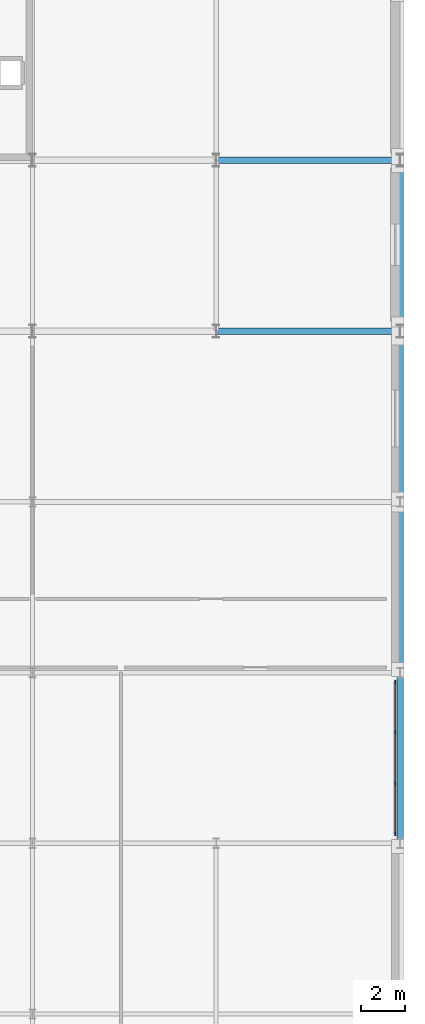
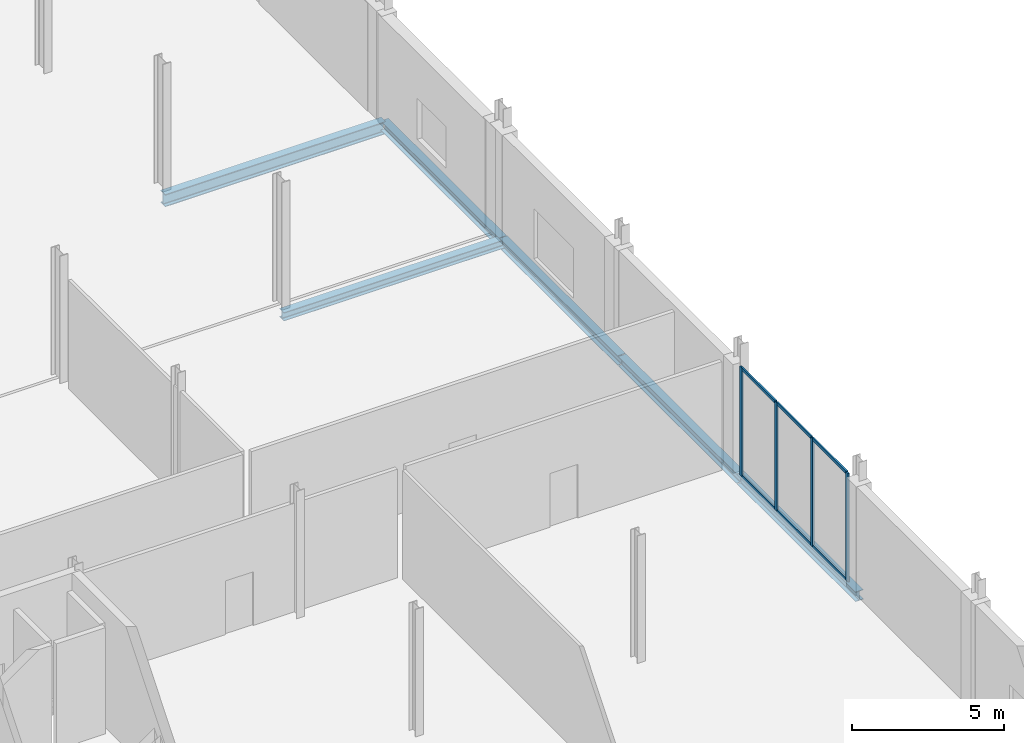
# One storey, part 59 of 105: 10 members, 6 beams, 1 element without a shape of its own.
"""IFC4 building model written with IfcOpenShell, lengths in metres."""

from ifc_helpers import new_model, si_unit, direction, frame, origin, origin_2d, place, context, subcontext, project, spatial, rectangle, i_section, extrude, material, material_profile, profile_set, type_object, element, aggregate, save


model = new_model("IFC4")

# Units and contexts
model_context = context("Model", 3, precision=1e-05, world=origin(), true_north=direction((0.0, 1.0)))
body_context = subcontext(model_context, "Body", "Model", "MODEL_VIEW")
ifc_project = project(units=[si_unit("LENGTHUNIT", "METRE"), si_unit("AREAUNIT", "SQUARE_METRE"), si_unit("VOLUMEUNIT", "CUBIC_METRE"), si_unit("PLANEANGLEUNIT", "RADIAN"), si_unit("MASSUNIT", "GRAM", prefix="KILO")], contexts=[model_context])

# Site, building, storey
site_placement = place(None, origin())
site = spatial("IfcSite", under=ifc_project, at=site_placement, CompositionType="ELEMENT")
building_placement = place(site_placement, origin())
building = spatial("IfcBuilding", under=site, at=building_placement, Name="Nabrawat Pavilion Hospital", CompositionType="ELEMENT")
storey_placement = place(building_placement, frame((0.0, 0.0, 5.10009765625)))
storey = spatial("IfcBuildingStorey", under=building, at=storey_placement, Name="L01", CompositionType="ELEMENT", Elevation=5.10009765625)

# Curtain wall, members
ifc_material_1 = material(Name="Anodised Aluminium", Category="aluminium")
curtain_wall_type = type_object("IfcCurtainWallType", Name="Outpatient Boulevard Curtain Wall", PredefinedType="USERDEFINED", material=ifc_material_1)
curtain_wall_placement = place(storey_placement, origin())
curtain_wall = element("IfcCurtainWall", 1, at=curtain_wall_placement, inside=storey, type_object=curtain_wall_type, Name="L01 Outpatient Boulevard Curtain Wall 093", ObjectType="CURTAIN WALL", PredefinedType="USERDEFINED")
ifc_material_profile_1 = material_profile(ifc_material_1, rectangle(XDim=0.06005859375, YDim=0.159912109375, at=origin_2d()), Name="CWM 60x160")
ifc_profile_set_1 = profile_set([ifc_material_profile_1], Name="Anodised Aluminium")
member_type_1 = type_object("IfcMemberType", Name="Outpatient Boulevard Curtain Wall Mullion CWM 60x160", PredefinedType="MULLION", material=ifc_profile_set_1)
member_1_placement = place(storey_placement, frame((192.97998046875, 16.02490234375, 0.0), z_axis=(0.0, 0.0, 1.0), x_axis=(-1.0, 0.0, 0.0)))
member_1 = element("IfcMember", 2, at=member_1_placement, type_object=member_type_1, Name="CW-OPC-01 mullion 1", PredefinedType="MULLION", context=body_context, shape_type="SweptSolid", body=[
    extrude(rectangle(XDim=0.06005859375, YDim=0.159912109375, at=origin_2d()), origin(), (0.0, 0.0, 1.0), 4.349853515625),
])
member_2_placement = place(storey_placement, frame((192.97998046875, 18.331787109375, 0.0), z_axis=(0.0, 0.0, 1.0), x_axis=(-1.0, 0.0, 0.0)))
member_2 = element("IfcMember", 3, at=member_2_placement, type_object=member_type_1, Name="CW-OPC-01 mullion 2", PredefinedType="MULLION", context=body_context, shape_type="SweptSolid", body=[
    extrude(rectangle(XDim=0.06005859375, YDim=0.159912109375, at=origin_2d()), origin(), (0.0, 0.0, 1.0), 4.349853515625),
])
member_3_placement = place(storey_placement, frame((192.97998046875, 20.668212890625, 0.0), z_axis=(0.0, 0.0, 1.0), x_axis=(-1.0, 0.0, 0.0)))
member_3 = element("IfcMember", 4, at=member_3_placement, type_object=member_type_1, Name="CW-OPC-01 mullion 3", PredefinedType="MULLION", context=body_context, shape_type="SweptSolid", body=[
    extrude(rectangle(XDim=0.06005859375, YDim=0.159912109375, at=origin_2d()), origin(), (0.0, 0.0, 1.0), 4.349853515625),
])
member_4_placement = place(storey_placement, frame((192.97998046875, 22.97509765625, 0.0), z_axis=(0.0, 0.0, 1.0), x_axis=(-1.0, 0.0, 0.0)))
member_4 = element("IfcMember", 5, at=member_4_placement, type_object=member_type_1, Name="CW-OPC-01 mullion 4", PredefinedType="MULLION", context=body_context, shape_type="SweptSolid", body=[
    extrude(rectangle(XDim=0.06005859375, YDim=0.159912109375, at=origin_2d()), origin(), (0.0, 0.0, 1.0), 4.349853515625),
])
ifc_material_profile_2 = material_profile(ifc_material_1, rectangle(XDim=0.06005859375, YDim=0.1201171875, at=origin_2d()), Name="CWT 60x120")
ifc_profile_set_2 = profile_set([ifc_material_profile_2], Name="Anodised Aluminium")
member_type_2 = type_object("IfcMemberType", Name="Outpatient Boulevard Curtain Wall Transom CWT 60x120", PredefinedType="USERDEFINED", material=ifc_profile_set_2)
member_5_placement = place(storey_placement, frame((192.97998046875, 16.054931640625, 0.02978515625), z_axis=(0.0, 1.0, 0.0), x_axis=(-1.0, 0.0, 0.0)))
member_5 = element("IfcMember", 6, at=member_5_placement, type_object=member_type_2, Name="CW-OPC-01 transom 1.1", ObjectType="TRANSOM", PredefinedType="USERDEFINED", context=body_context, shape_type="SweptSolid", body=[
    extrude(rectangle(XDim=0.06005859375, YDim=0.1201171875, at=origin_2d()), origin(), (0.0, 0.0, 1.0), 2.246826171875),
])
member_6_placement = place(storey_placement, frame((192.97998046875, 16.054931640625, 4.31982421875), z_axis=(0.0, 1.0, 0.0), x_axis=(-1.0, 0.0, 0.0)))
member_6 = element("IfcMember", 7, at=member_6_placement, type_object=member_type_2, Name="CW-OPC-01 transom 1.2", ObjectType="TRANSOM", PredefinedType="USERDEFINED", context=body_context, shape_type="SweptSolid", body=[
    extrude(rectangle(XDim=0.06005859375, YDim=0.1201171875, at=origin_2d()), origin(), (0.0, 0.0, 1.0), 2.246826171875),
])
member_7_placement = place(storey_placement, frame((192.97998046875, 18.361572265625, 0.02978515625), z_axis=(0.0, 1.0, 0.0), x_axis=(-1.0, 0.0, 0.0)))
member_7 = element("IfcMember", 8, at=member_7_placement, type_object=member_type_2, Name="CW-OPC-01 transom 2.1", ObjectType="TRANSOM", PredefinedType="USERDEFINED", context=body_context, shape_type="SweptSolid", body=[
    extrude(rectangle(XDim=0.06005859375, YDim=0.1201171875, at=origin_2d()), origin(), (0.0, 0.0, 1.0), 2.27685546875),
])
member_8_placement = place(storey_placement, frame((192.97998046875, 18.361572265625, 4.31982421875), z_axis=(0.0, 1.0, 0.0), x_axis=(-1.0, 0.0, 0.0)))
member_8 = element("IfcMember", 9, at=member_8_placement, type_object=member_type_2, Name="CW-OPC-01 transom 2.2", ObjectType="TRANSOM", PredefinedType="USERDEFINED", context=body_context, shape_type="SweptSolid", body=[
    extrude(rectangle(XDim=0.06005859375, YDim=0.1201171875, at=origin_2d()), origin(), (0.0, 0.0, 1.0), 2.27685546875),
])
member_9_placement = place(storey_placement, frame((192.97998046875, 20.6982421875, 0.02978515625), z_axis=(0.0, 1.0, 0.0), x_axis=(-1.0, 0.0, 0.0)))
member_9 = element("IfcMember", 10, at=member_9_placement, type_object=member_type_2, Name="CW-OPC-01 transom 3.1", ObjectType="TRANSOM", PredefinedType="USERDEFINED", context=body_context, shape_type="SweptSolid", body=[
    extrude(rectangle(XDim=0.06005859375, YDim=0.1201171875, at=origin_2d()), origin(), (0.0, 0.0, 1.0), 2.246826171875),
])
member_10_placement = place(storey_placement, frame((192.97998046875, 20.6982421875, 4.31982421875), z_axis=(0.0, 1.0, 0.0), x_axis=(-1.0, 0.0, 0.0)))
member_10 = element("IfcMember", 11, at=member_10_placement, type_object=member_type_2, Name="CW-OPC-01 transom 3.2", ObjectType="TRANSOM", PredefinedType="USERDEFINED", context=body_context, shape_type="SweptSolid", body=[
    extrude(rectangle(XDim=0.06005859375, YDim=0.1201171875, at=origin_2d()), origin(), (0.0, 0.0, 1.0), 2.246826171875),
])
aggregate(curtain_wall, [member_1, member_2, member_3, member_4, member_5, member_6, member_7, member_8, member_9, member_10])

# Beams
ifc_material_2 = material(Name="Steel S355", Category="steel")
ifc_material_profile_3 = material_profile(ifc_material_2, i_section(OverallWidth=0.300048828125, OverallDepth=0.389892578125, WebThickness=0.010986328125, FlangeThickness=0.01904296875, FilletRadius=0.027099609375, at=origin_2d()), Name="HEA 400")
ifc_profile_set_3 = profile_set([ifc_material_profile_3], Name="Steel S355")
beam_type_1 = type_object("IfcBeamType", Name="Perimeter Moment Spandrel Beam HEA 400", PredefinedType="SPANDREL", material=ifc_profile_set_3)
beam_1_placement = place(storey_placement, frame((193.199951171875, 15.6201171875, -0.425048828125), z_axis=(0.0, 1.0, 0.0), x_axis=(-1.0, 0.0, 0.0)))
element("IfcBeam", 12, at=beam_1_placement, inside=storey, type_object=beam_type_1, Name="L01 Primary Y Beam 913", PredefinedType="SPANDREL", context=body_context, shape_type="SweptSolid", body=[
    extrude(i_section(OverallWidth=0.300048828125, OverallDepth=0.389892578125, WebThickness=0.010986328125, FlangeThickness=0.01904296875, FilletRadius=0.027099609375, at=origin_2d()), origin(), (0.0, 0.0, 1.0), 7.759765625),
])
for number, where, z_axis, x_axis, name in (
    (13, (193.199951171875, 23.419921875, -0.425048828125), (0.0, 1.0, 0.0), (-1.0, 0.0, 0.0), "L01 Primary Y Beam 914"),
    (14, (193.199951171875, 31.219970703125, -0.425048828125), (0.0, 1.0, 0.0), (-1.0, 0.0, 0.0), "L01 Primary Y Beam 915"),
    (15, (193.199951171875, 39.02001953125, -0.445068359375), (0.0, 1.0, 0.0), (-1.0, 0.0, 0.0), "L01 Primary Y Beam 916"),
):
    element("IfcBeam", number, at=place(storey_placement, frame(where, z_axis=z_axis, x_axis=x_axis)), inside=storey, type_object=beam_type_1, Name=name, PredefinedType="SPANDREL", context=body_context, shape_type="SweptSolid", body=[
        extrude(i_section(OverallWidth=0.300048828125, OverallDepth=0.389892578125, WebThickness=0.010986328125, FlangeThickness=0.01904296875, FilletRadius=0.027099609375, at=origin_2d()), origin(), (0.0, 0.0, 1.0), 7.760009765625),
    ])
ifc_material_profile_4 = material_profile(ifc_material_2, i_section(OverallWidth=0.300048828125, OverallDepth=0.5, WebThickness=0.014404296875, FlangeThickness=0.028076171875, FilletRadius=0.027099609375, at=origin_2d()), Name="HEB 500")
ifc_profile_set_4 = profile_set([ifc_material_profile_4], Name="Steel S355")
beam_type_2 = type_object("IfcBeamType", Name="Primary Floor Girder HEB 500", PredefinedType="USERDEFINED", material=ifc_profile_set_4)
beam_2_placement = place(storey_placement, frame((184.820068359375, 46.800048828125, -0.5), z_axis=(1.0, 0.0, 0.0), x_axis=(0.0, 1.0, 0.0)))
element("IfcBeam", 16, at=beam_2_placement, inside=storey, type_object=beam_type_2, Name="L01 Primary X Girder 547", ObjectType="GIRDER", PredefinedType="USERDEFINED", context=body_context, shape_type="SweptSolid", body=[
    extrude(i_section(OverallWidth=0.300048828125, OverallDepth=0.5, WebThickness=0.014404296875, FlangeThickness=0.028076171875, FilletRadius=0.027099609375, at=origin_2d()), origin(), (0.0, 0.0, 1.0), 8.35986328125),
])
ifc_material_profile_5 = material_profile(ifc_material_2, i_section(OverallWidth=0.300048828125, OverallDepth=0.340087890625, WebThickness=0.011962890625, FlangeThickness=0.021484375, FilletRadius=0.027099609375, at=origin_2d()), Name="HEB 340")
ifc_profile_set_5 = profile_set([ifc_material_profile_5], Name="Steel S355")
beam_type_3 = type_object("IfcBeamType", Name="Ward Perimeter Spandrel Beam HEB 340", PredefinedType="SPANDREL", material=ifc_profile_set_5)
beam_3_placement = place(storey_placement, frame((184.820068359375, 39.0, -0.420166015625), z_axis=(1.0, 0.0, 0.0), x_axis=(0.0, 1.0, 0.0)))
element("IfcBeam", 17, at=beam_3_placement, inside=storey, type_object=beam_type_3, Name="L01 Primary X Girder 535", PredefinedType="SPANDREL", context=body_context, shape_type="SweptSolid", body=[
    extrude(i_section(OverallWidth=0.300048828125, OverallDepth=0.340087890625, WebThickness=0.011962890625, FlangeThickness=0.021484375, FilletRadius=0.027099609375, at=origin_2d()), origin(), (0.0, 0.0, 1.0), 8.35986328125),
])

save(model, "model.ifc")
